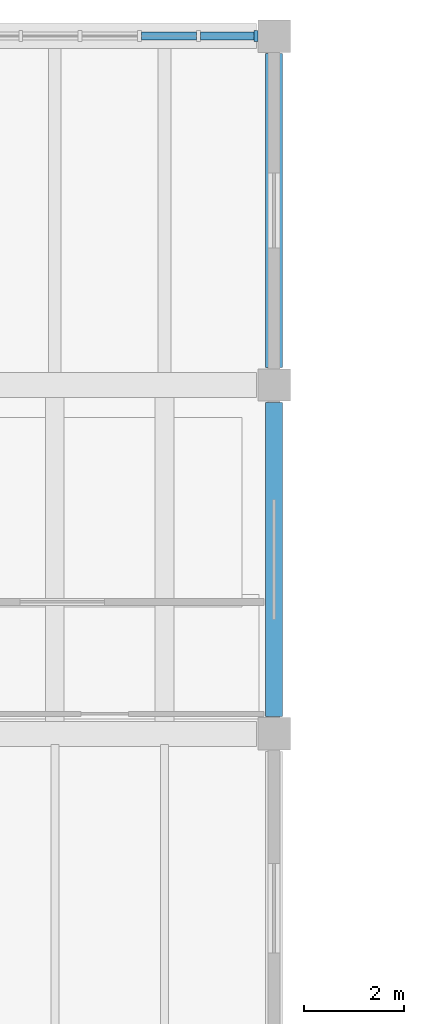
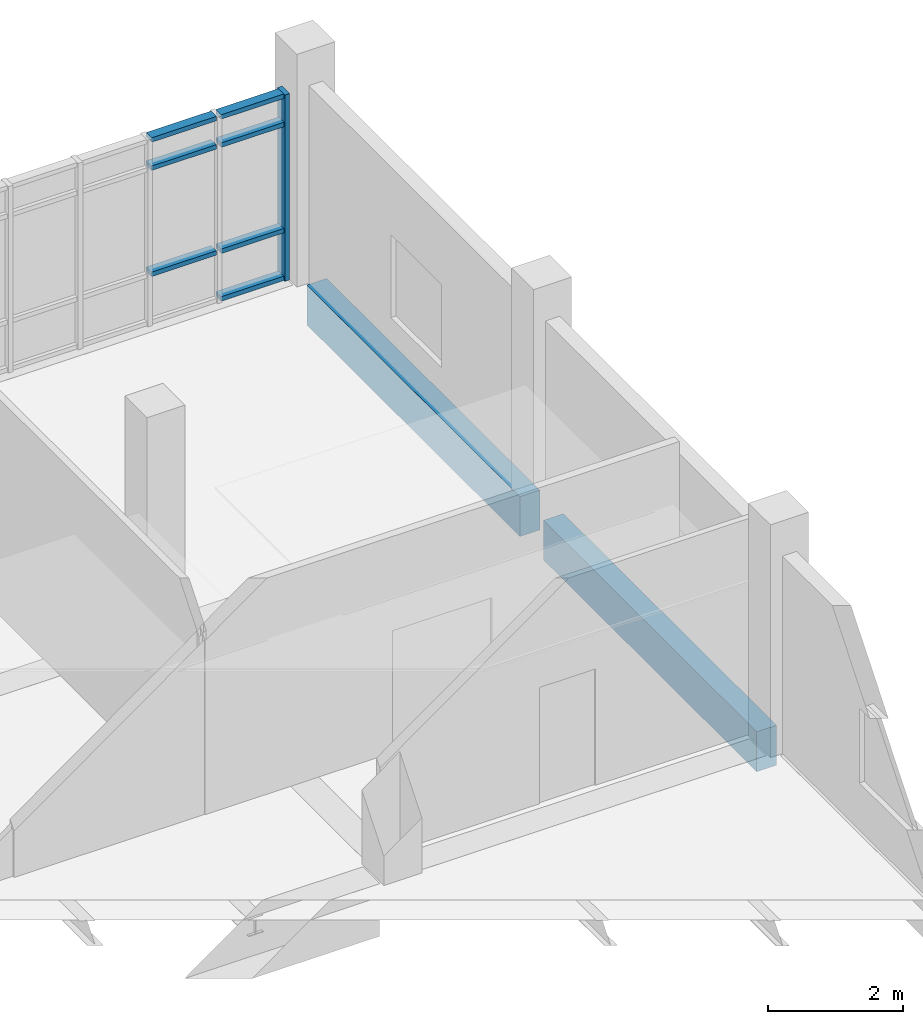
# One storey, part 6 of 16: 8 members, 2 beams, 1 element without a shape of its own.
"""IFC4 building model written with IfcOpenShell, lengths in metres."""

from ifc_helpers import new_model, si_unit, direction, frame, origin, origin_2d, place, context, subcontext, project, spatial, rectangle, extrude, material, material_profile, profile_set, type_object, element, aggregate, save


model = new_model("IFC4")

# Units and contexts
model_context = context("Model", 3, precision=1e-05, world=origin(), true_north=direction((0.0, 1.0)))
body_context = subcontext(model_context, "Body", "Model", "MODEL_VIEW")
ifc_project = project(units=[si_unit("LENGTHUNIT", "METRE"), si_unit("AREAUNIT", "SQUARE_METRE"), si_unit("VOLUMEUNIT", "CUBIC_METRE"), si_unit("PLANEANGLEUNIT", "RADIAN"), si_unit("MASSUNIT", "GRAM", prefix="KILO")], contexts=[model_context])

# Site, building, storey
site_placement = place(None, origin())
site = spatial("IfcSite", under=ifc_project, at=site_placement, CompositionType="ELEMENT")
building_placement = place(site_placement, origin())
building = spatial("IfcBuilding", under=site, at=building_placement, Name="Ciguamira Faculty of Natural Sciences", CompositionType="ELEMENT")
storey_placement = place(building_placement, frame((0.0, 0.0, 25.199951171875)))
storey = spatial("IfcBuildingStorey", under=building, at=storey_placement, Name="L06", CompositionType="ELEMENT", Elevation=25.199951171875)

# Curtain wall, members
ifc_material_1 = material(Name="Anodized aluminium curtain wall", Category="aluminium")
curtain_wall_type = type_object("IfcCurtainWallType", Name="CurtainWall_CW-03", PredefinedType="USERDEFINED", material=ifc_material_1)
curtain_wall_placement = place(storey_placement, origin())
curtain_wall = element("IfcCurtainWall", 1, at=curtain_wall_placement, inside=storey, type_object=curtain_wall_type, Name="L06 unitised curtain wall 0147", ObjectType="UNITISED CURTAIN WALL", PredefinedType="USERDEFINED")
ifc_material_2 = material(Name="Anodized aluminium mullion", Category="aluminium")
ifc_material_profile_1 = material_profile(ifc_material_2, rectangle(XDim=0.080078125, YDim=0.219970703125, at=origin_2d()), Name="ALU-MUL-80X220")
ifc_profile_set_1 = profile_set([ifc_material_profile_1], Name="Anodized aluminium mullion")
member_type_1 = type_object("IfcMemberType", Name="CWMullion_CWM-03", PredefinedType="MULLION", material=ifc_profile_set_1)
member_1_placement = place(storey_placement, frame((109.735107421875, 115.0, 0.0), z_axis=(0.0, 0.0, 1.0), x_axis=(1.0, 0.0, 0.0)))
member_1 = element("IfcMember", 2, at=member_1_placement, type_object=member_type_1, Name="CW-03 mullion 6", PredefinedType="MULLION", context=body_context, shape_type="SweptSolid", body=[
    extrude(rectangle(XDim=0.080078125, YDim=0.219970703125, at=origin_2d()), origin(), (0.0, 0.0, 1.0), 3.364990234375),
])
ifc_material_3 = material(Name="Anodized aluminium transom", Category="aluminium")
ifc_material_profile_2 = material_profile(ifc_material_3, rectangle(XDim=0.080078125, YDim=0.159912109375, at=origin_2d()), Name="ALU-TRN-80X160")
ifc_profile_set_2 = profile_set([ifc_material_profile_2], Name="Anodized aluminium transom")
member_type_2 = type_object("IfcMemberType", Name="CWTransom_CWT-03", PredefinedType="USERDEFINED", material=ifc_profile_set_2)
member_2_placement = place(storey_placement, frame((107.43505859375, 115.0, 0.900146484375), z_axis=(1.0, 0.0, 0.0), x_axis=(0.0, 0.0, 1.0)))
member_2 = element("IfcMember", 3, at=member_2_placement, type_object=member_type_2, Name="CW-03 transom 4.2", ObjectType="TRANSOM", PredefinedType="USERDEFINED", context=body_context, shape_type="SweptSolid", body=[
    extrude(rectangle(XDim=0.080078125, YDim=0.159912109375, at=origin_2d()), origin(), (0.0, 0.0, 1.0), 1.10986328125),
])
member_3_placement = place(storey_placement, frame((107.43505859375, 115.0, 2.81494140625), z_axis=(1.0, 0.0, 0.0), x_axis=(0.0, 0.0, 1.0)))
member_3 = element("IfcMember", 4, at=member_3_placement, type_object=member_type_2, Name="CW-03 transom 4.3", ObjectType="TRANSOM", PredefinedType="USERDEFINED", context=body_context, shape_type="SweptSolid", body=[
    extrude(rectangle(XDim=0.080078125, YDim=0.159912109375, at=origin_2d()), origin(), (0.0, 0.0, 1.0), 1.10986328125),
])
member_4_placement = place(storey_placement, frame((107.43505859375, 115.0, 3.324951171875), z_axis=(1.0, 0.0, 0.0), x_axis=(0.0, 0.0, 1.0)))
member_4 = element("IfcMember", 5, at=member_4_placement, type_object=member_type_2, Name="CW-03 transom 4.4", ObjectType="TRANSOM", PredefinedType="USERDEFINED", context=body_context, shape_type="SweptSolid", body=[
    extrude(rectangle(XDim=0.080078125, YDim=0.159912109375, at=origin_2d()), origin(), (0.0, 0.0, 1.0), 1.10986328125),
])
member_5_placement = place(storey_placement, frame((108.625, 115.0, 0.0400390625), z_axis=(1.0, 0.0, 0.0), x_axis=(0.0, 0.0, 1.0)))
member_5 = element("IfcMember", 6, at=member_5_placement, type_object=member_type_2, Name="CW-03 transom 5.1", ObjectType="TRANSOM", PredefinedType="USERDEFINED", context=body_context, shape_type="SweptSolid", body=[
    extrude(rectangle(XDim=0.080078125, YDim=0.159912109375, at=origin_2d()), origin(), (0.0, 0.0, 1.0), 1.070068359375),
])
member_6_placement = place(storey_placement, frame((108.625, 115.0, 0.900146484375), z_axis=(1.0, 0.0, 0.0), x_axis=(0.0, 0.0, 1.0)))
member_6 = element("IfcMember", 7, at=member_6_placement, type_object=member_type_2, Name="CW-03 transom 5.2", ObjectType="TRANSOM", PredefinedType="USERDEFINED", context=body_context, shape_type="SweptSolid", body=[
    extrude(rectangle(XDim=0.080078125, YDim=0.159912109375, at=origin_2d()), origin(), (0.0, 0.0, 1.0), 1.070068359375),
])
member_7_placement = place(storey_placement, frame((108.625, 115.0, 2.81494140625), z_axis=(1.0, 0.0, 0.0), x_axis=(0.0, 0.0, 1.0)))
member_7 = element("IfcMember", 8, at=member_7_placement, type_object=member_type_2, Name="CW-03 transom 5.3", ObjectType="TRANSOM", PredefinedType="USERDEFINED", context=body_context, shape_type="SweptSolid", body=[
    extrude(rectangle(XDim=0.080078125, YDim=0.159912109375, at=origin_2d()), origin(), (0.0, 0.0, 1.0), 1.070068359375),
])
member_8_placement = place(storey_placement, frame((108.625, 115.0, 3.324951171875), z_axis=(1.0, 0.0, 0.0), x_axis=(0.0, 0.0, 1.0)))
member_8 = element("IfcMember", 9, at=member_8_placement, type_object=member_type_2, Name="CW-03 transom 5.4", ObjectType="TRANSOM", PredefinedType="USERDEFINED", context=body_context, shape_type="SweptSolid", body=[
    extrude(rectangle(XDim=0.080078125, YDim=0.159912109375, at=origin_2d()), origin(), (0.0, 0.0, 1.0), 1.070068359375),
])
aggregate(curtain_wall, [member_1, member_2, member_3, member_4, member_5, member_6, member_7, member_8])

# Beams
ifc_material_4 = material(Name="Precast concrete C40/50", Category="concrete")
ifc_material_profile_3 = material_profile(ifc_material_4, rectangle(XDim=0.340087890625, YDim=0.719970703125, at=origin_2d()), Name="RC-SP-340X720")
ifc_profile_set_3 = profile_set([ifc_material_profile_3], Name="Precast concrete C40/50")
beam_type = type_object("IfcBeamType", Name="RCBeam_SP-03_RC-SP-340X720", PredefinedType="SPANDREL", material=ifc_profile_set_3)
for number, where, z_axis, x_axis, name in (
    (10, (110.10009765625, 101.35009765625, -0.35986328125), (0.0, 1.0, 0.0), (-1.0, 0.0, 0.0), "L06 girder NS-1542"),
    (11, (110.10009765625, 108.35009765625, -0.35986328125), (0.0, 1.0, 0.0), (-1.0, 0.0, 0.0), "L06 girder NS-1543"),
):
    element("IfcBeam", number, at=place(storey_placement, frame(where, z_axis=z_axis, x_axis=x_axis)), inside=storey, type_object=beam_type, Name=name, PredefinedType="SPANDREL", context=body_context, shape_type="SweptSolid", body=[
        extrude(rectangle(XDim=0.340087890625, YDim=0.719970703125, at=origin_2d()), origin(), (0.0, 0.0, 1.0), 6.2998046875),
    ])

save(model, "model.ifc")
